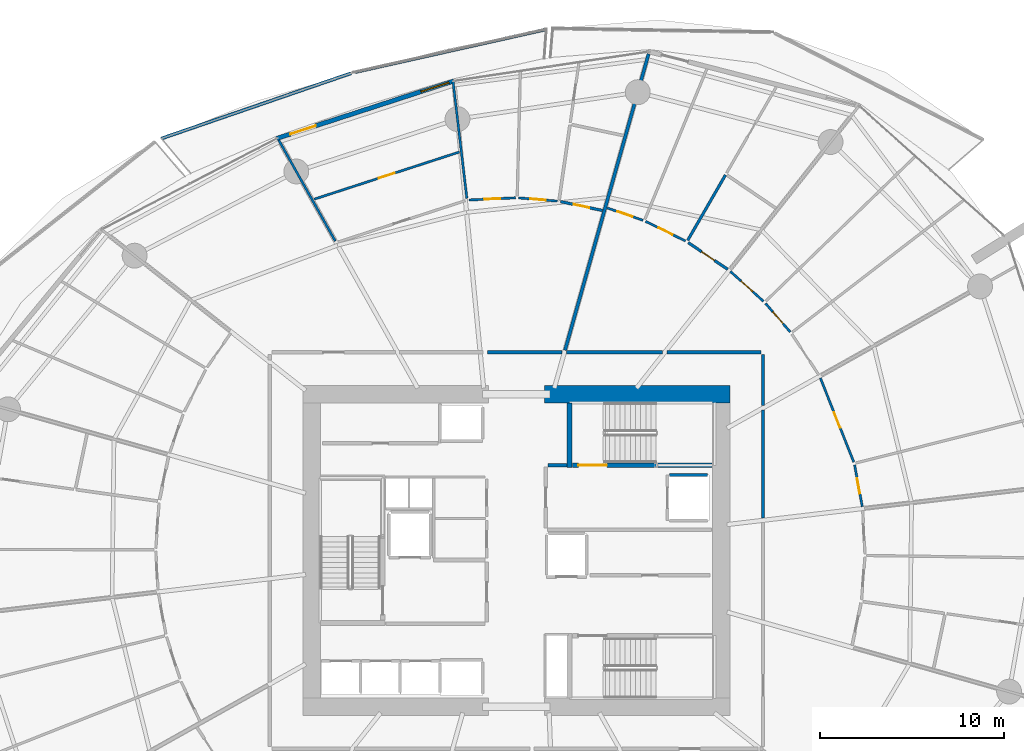
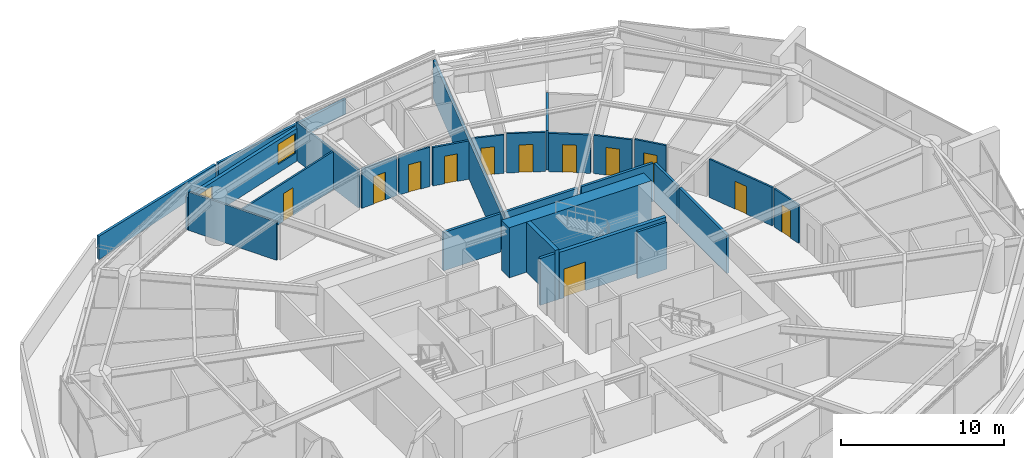
# One storey, part 23 of 31: 28 walls, 13 doors, 1 window, 14 openings.
"""IFC4 building model written with IfcOpenShell, lengths in metres."""

import ifcopenshell
import ifcopenshell.guid

model = None  # the IFC model being written
_history = None  # IfcOwnerHistory: only IFC2X3 demands one
_inside = {}  # id of a spatial element -> (the spatial element, [elements in it])
_under = {}  # id of a project, library or spatial element -> (it, [spatial elements below it])
_declared = {}  # id of a project -> (the project, [libraries it declares])
_typed = {}  # id of a type object -> (the type object, [elements of that type])
_made_of = {}  # id of a material, layer set ... -> (it, [elements and type objects made of it])


def new_model(schema):
    """Start an empty IFC model of exactly this schema.

    Asked for "IFC4X3", IfcOpenShell would pick the latest addendum, in which some entities
    have other attributes; the version numbers below select the first issue.
    IFC2X3 requires an IfcOwnerHistory on every rooted entity: one is made here for all.
    """
    global model, _history
    if schema == "IFC4X3":
        model = ifcopenshell.file(schema_version=(4, 3, 0, 0))
    else:
        model = ifcopenshell.file(schema=schema)
    _inside.clear()
    _under.clear()
    _declared.clear()
    _typed.clear()
    _made_of.clear()
    _history = None
    if model.schema == "IFC2X3":
        org = make("IfcOrganization", Name="unknown")
        user = make(
            "IfcPersonAndOrganization",
            ThePerson=make("IfcPerson", FamilyName="unknown"),
            TheOrganization=org,
        )
        app = make(
            "IfcApplication",
            ApplicationDeveloper=org,
            Version="unknown",
            ApplicationFullName="unknown",
            ApplicationIdentifier="unknown",
        )
        _history = make(
            "IfcOwnerHistory",
            OwningUser=user,
            OwningApplication=app,
            ChangeAction="ADDED",
            CreationDate=0,
        )
    return model


def make(cls, **values):
    """One entity of the class cls with the attributes given. An attribute that is None is left unset."""
    return model.create_entity(
        cls, **{name: value for name, value in values.items() if value is not None}
    )


def rooted(cls, **values):
    """An entity with a GlobalId (a new one), such as an element, a storey or a relation."""
    return make(cls, GlobalId=ifcopenshell.guid.new(), OwnerHistory=_history, **values)


def si_unit(unit_type, name, prefix=None):
    """IfcSIUnit, for example si_unit("LENGTHUNIT", "METRE", prefix="MILLI")."""
    return make("IfcSIUnit", UnitType=unit_type, Prefix=prefix, Name=name)


def assignment(units):
    """IfcUnitAssignment: the units of a project."""
    return None if units is None else make("IfcUnitAssignment", Units=units)


def point(xyz):
    """IfcCartesianPoint."""
    return None if xyz is None else make("IfcCartesianPoint", Coordinates=xyz)


def direction(xyz):
    """IfcDirection."""
    return None if xyz is None else make("IfcDirection", DirectionRatios=xyz)


def frame(location, z_axis=None, x_axis=None):
    """IfcAxis2Placement3D, a coordinate frame: its origin and axes. An axis left out is left unset."""
    return make(
        "IfcAxis2Placement3D",
        Location=point(location),
        Axis=direction(z_axis),
        RefDirection=direction(x_axis),
    )


def frame_2d(location, x_axis=None):
    """IfcAxis2Placement2D, a coordinate frame in the plane: its origin and x axis."""
    return make(
        "IfcAxis2Placement2D", Location=point(location), RefDirection=direction(x_axis)
    )


def origin():
    """The frame at (0, 0, 0) with its axes left unset."""
    return frame((0.0, 0.0, 0.0))


def place(relative_to, where):
    """IfcLocalPlacement: puts the frame where relative to a parent placement (None: the world)."""
    return make(
        "IfcLocalPlacement", PlacementRelTo=relative_to, RelativePlacement=where
    )


def context(
    kind, dimensions, precision=None, world=None, true_north=None, identifier=None
):
    """IfcGeometricRepresentationContext, for example the 3D "Model" context."""
    return make(
        "IfcGeometricRepresentationContext",
        ContextIdentifier=identifier,
        ContextType=kind,
        CoordinateSpaceDimension=dimensions,
        Precision=precision,
        WorldCoordinateSystem=world,
        TrueNorth=true_north,
    )


def subcontext(parent, identifier, kind, view, scale=None):
    """IfcGeometricRepresentationSubContext, for example "Body" below "Model"."""
    return make(
        "IfcGeometricRepresentationSubContext",
        ContextIdentifier=identifier,
        ContextType=kind,
        ParentContext=parent,
        TargetScale=scale,
        TargetView=view,
    )


def project(units=None, contexts=None):
    """IfcProject with its units and contexts."""
    return rooted(
        "IfcProject",
        Name="project",
        RepresentationContexts=contexts,
        UnitsInContext=assignment(units),
    )


def spatial(cls, under=None, at=None, **own):
    """A site, building, storey or space (cls), placed at a placement, below another one or the project."""
    s = rooted(cls, ObjectPlacement=at, **own)
    if under is not None:
        _under.setdefault(under.id(), (under, []))[1].append(s)
    return s


def polyline(points):
    """IfcPolyline through the points."""
    return make("IfcPolyline", Points=[point(p) for p in points])


def profile(cls, at=None, kind="AREA", **sizes):
    """A parametric profile (cls). Its sizes go by their IFC names, for example OverallWidth=200.0."""
    return make(cls, ProfileType=kind, Position=at, **sizes)


def rectangle(**sizes):
    """IfcRectangleProfileDef."""
    return profile("IfcRectangleProfileDef", **sizes)


def outline(outer, holes=None, kind="AREA"):
    """IfcArbitraryClosedProfileDef: a profile drawn as a closed curve; with holes, ...WithVoids."""
    if holes is None:
        return make("IfcArbitraryClosedProfileDef", ProfileType=kind, OuterCurve=outer)
    return make(
        "IfcArbitraryProfileDefWithVoids",
        ProfileType=kind,
        OuterCurve=outer,
        InnerCurves=holes,
    )


def extrude(swept, where, along, depth):
    """IfcExtrudedAreaSolid: the profile swept, set in the frame where, extruded along a direction by depth."""
    return make(
        "IfcExtrudedAreaSolid",
        SweptArea=swept,
        Position=where,
        ExtrudedDirection=direction(along),
        Depth=depth,
    )


def shape(context_of_items, identifier, shape_type, items):
    """IfcShapeRepresentation: the items that make up one representation, for example the "Body"."""
    return make(
        "IfcShapeRepresentation",
        ContextOfItems=context_of_items,
        RepresentationIdentifier=identifier,
        RepresentationType=shape_type,
        Items=items,
    )


def material(Name=None, Category=None):
    """IfcMaterial."""
    return make("IfcMaterial", Name=Name, Category=Category)


def layer(
    of_material, thickness, ventilated=None, Name=None, Category=None, Priority=None
):
    """IfcMaterialLayer: one layer of a wall or slab, of a material (None: an air gap)."""
    return make(
        "IfcMaterialLayer",
        Material=of_material,
        LayerThickness=thickness,
        IsVentilated=ventilated,
        Name=Name,
        Category=Category,
        Priority=Priority,
    )


def layer_set(layers, Name=None):
    """IfcMaterialLayerSet."""
    return make("IfcMaterialLayerSet", MaterialLayers=layers, LayerSetName=Name)


def made_of(thing, what):
    """Note that an element or type object is made of a material, layer set ...; save() writes the relation."""
    if what is not None:
        _made_of.setdefault(what.id(), (what, []))[1].append(thing)
    return thing


def type_object(cls, material=None, **own):
    """A type object (cls), such as IfcWallType, which elements share."""
    return made_of(rooted(cls, **own), material)


def element(
    cls,
    number,
    at=None,
    inside=None,
    cuts=None,
    type_object=None,
    material=None,
    context=None,
    identifier="Body",
    shape_type=None,
    held_by="IfcProductDefinitionShape",
    body=None,
    shapes=None,
    **own,
):
    """One element of the class cls, such as IfcWall. Its Tag is "e" and its number.

    at: its placement. inside: the storey or other place that contains it. cuts: it is an
    opening in that element (IfcRelVoidsElement). A single representation is given by context,
    identifier, shape_type and body (its items); several are given by shapes. held_by: the class
    of the entity that holds the representations. save() writes the other relations.
    """
    e = rooted(cls, Tag="e%d" % number, ObjectPlacement=at, **own)
    if body is not None:
        shapes = [shape(context, identifier, shape_type, body)]
    if shapes is not None:
        e.Representation = make(held_by, Representations=shapes)
    if inside is not None:
        _inside.setdefault(inside.id(), (inside, []))[1].append(e)
    if cuts is not None:
        rooted(
            "IfcRelVoidsElement", RelatingBuildingElement=cuts, RelatedOpeningElement=e
        )
    if type_object is not None:
        _typed.setdefault(type_object.id(), (type_object, []))[1].append(e)
    return made_of(e, material)


def fill(opening, filler):
    """IfcRelFillsElement: the door or window that sits in an opening."""
    return rooted(
        "IfcRelFillsElement",
        RelatingOpeningElement=opening,
        RelatedBuildingElement=filler,
    )


def aggregate(whole, parts):
    """IfcRelAggregates: a whole, such as a stair, and the parts it consists of."""
    return rooted("IfcRelAggregates", RelatingObject=whole, RelatedObjects=parts)


def save(model, path):
    """Write the relations noted so far, then the file.

    IfcRelAggregates (storeys below a building ...), IfcRelContainedInSpatialStructure (elements
    in a storey), IfcRelDefinesByType, IfcRelAssociatesMaterial and IfcRelDeclares: one each for
    every whole, place, type object, material and project.
    """
    for whole, parts in _under.values():
        aggregate(whole, parts)
    for where, things in _inside.values():
        rooted(
            "IfcRelContainedInSpatialStructure",
            RelatedElements=things,
            RelatingStructure=where,
        )
    for kind, things in _typed.values():
        rooted("IfcRelDefinesByType", RelatedObjects=things, RelatingType=kind)
    for what, things in _made_of.values():
        rooted("IfcRelAssociatesMaterial", RelatedObjects=things, RelatingMaterial=what)
    for by, libraries in _declared.values():
        rooted("IfcRelDeclares", RelatingContext=by, RelatedDefinitions=libraries)
    model.write(path)


model = new_model("IFC4")

# Units and contexts
model_context = context("Model", 3, precision=1e-05, world=origin(), true_north=direction((0.0, 1.0)))
body_context = subcontext(model_context, "Body", "Model", "MODEL_VIEW")
ifc_project = project(units=[si_unit("LENGTHUNIT", "METRE"), si_unit("AREAUNIT", "SQUARE_METRE"), si_unit("VOLUMEUNIT", "CUBIC_METRE"), si_unit("PLANEANGLEUNIT", "RADIAN"), si_unit("MASSUNIT", "GRAM", prefix="KILO")], contexts=[model_context])

# Site, building, storey
site_placement = place(None, origin())
site = spatial("IfcSite", under=ifc_project, at=site_placement, CompositionType="ELEMENT")
building_placement = place(site_placement, origin())
building = spatial("IfcBuilding", under=site, at=building_placement, Name="Kazma Halo Residences", CompositionType="ELEMENT")
storey_placement = place(building_placement, frame((0.0, 0.0, 48.89990234375)))
storey = spatial("IfcBuildingStorey", under=building, at=storey_placement, Name="L11", CompositionType="ELEMENT", Elevation=48.89990234375)

# Walls
ifc_material_1 = material(Name="White Concrete C50/60 Balustrade", Category="concrete")
ifc_layer_1 = layer(ifc_material_1, 0.179931640625)
ifc_layer_set_1 = layer_set([ifc_layer_1], Name="White Concrete C50/60 Balustrade")
wall_type_1 = type_object("IfcWallType", Name="WL-BAL-WAVE-180", PredefinedType="PARAPET", material=ifc_layer_set_1)
wall_1_placement = place(storey_placement, frame((50.050537109375, 70.261474609375, 0.0), z_axis=(0.0, 0.0, 1.0), x_axis=(-0.975844238529, -0.218467439518, 0.0)))
element("IfcWall", 1, at=wall_1_placement, inside=storey, type_object=wall_type_1, Name="L11 white wave balustrade wall NNW.1", PredefinedType="PARAPET", context=body_context, shape_type="SweptSolid", body=[
    extrude(outline(polyline([(0.0, 0.0), (10.61083984375, 0.0), (10.61083984375, 1.34814453125), (5.305419921875, 1.18212890625), (0.0, 1.1201171875), (0.0, 0.0)])), frame((0.0, 0.08984375, 0.0), z_axis=(0.0, -1.0, 0.0), x_axis=(1.0, 0.0, 0.0)), (0.0, 0.0, 1.0), 0.179931640625),
])
wall_2_placement = place(storey_placement, frame((39.465576171875, 67.878173828125, 0.0), z_axis=(0.0, 0.0, 1.0), x_axis=(-0.945564712315, -0.325434132851, 0.0)))
element("IfcWall", 2, at=wall_2_placement, inside=storey, type_object=wall_type_1, Name="L11 white wave balustrade wall NNW.2", PredefinedType="PARAPET", context=body_context, shape_type="SweptSolid", body=[
    extrude(outline(polyline([(0.0, 0.0), (10.8974609375, 0.0), (10.897216796875, 1.7470703125), (5.448486328125, 1.56201171875), (0.0, 1.34814453125), (0.0, 0.0)])), frame((0.0, 0.08984375, 0.0), z_axis=(0.0, -1.0, 0.0), x_axis=(1.0, 0.0, 0.0)), (0.0, 0.0, 1.0), 0.179931640625),
])
ifc_material_2 = material(Name="Concrete C80/95", Category="concrete")
ifc_layer_2 = layer(ifc_material_2, 0.949951171875)
ifc_layer_set_2 = layer_set([ifc_layer_2], Name="Concrete C80/95")
wall_type_2 = type_object("IfcWallType", Name="WL-CORE-950", PredefinedType="SHEAR", material=ifc_layer_set_2)
wall_3_placement = place(storey_placement, frame((49.949951171875, 50.47509765625, 0.0), z_axis=(0.0, 0.0, 1.0), x_axis=(1.0, 0.0, 0.0)))
element("IfcWall", 3, at=wall_3_placement, inside=storey, type_object=wall_type_2, Name="L11 central core shear wall NE", PredefinedType="SHEAR", context=body_context, shape_type="SweptSolid", body=[
    extrude(rectangle(XDim=10.050048828125, YDim=0.949951171875, at=frame_2d((5.02490234375, 0.0))), origin(), (0.0, 0.0, 1.0), 3.75),
])
ifc_material_3 = material(Name="Concrete C60/75", Category="concrete")
ifc_layer_3 = layer(ifc_material_3, 0.280029296875)
ifc_layer_set_3 = layer_set([ifc_layer_3], Name="Concrete C60/75")
wall_type_3 = type_object("IfcWallType", Name="WL-CORE-ST-280", PredefinedType="SHEAR", material=ifc_layer_set_3)
wall_4_placement = place(storey_placement, frame((51.31005859375, 46.5, 0.0), z_axis=(0.0, 0.0, 1.0), x_axis=(0.0, 1.0, 0.0)))
element("IfcWall", 4, at=wall_4_placement, inside=storey, type_object=wall_type_3, Name="L11 stairwell bearing wall ST02-W", PredefinedType="SHEAR", context=body_context, shape_type="SweptSolid", body=[
    extrude(rectangle(XDim=3.5, YDim=0.280029296875, at=frame_2d((1.75, 0.0))), origin(), (0.0, 0.0, 1.0), 3.75),
])
ifc_material_4 = material(Name="Acoustic Twin-Stud Gypsum")
ifc_layer_4 = layer(ifc_material_4, 0.179931640625)
ifc_layer_set_4 = layer_set([ifc_layer_4], Name="Acoustic Twin-Stud Gypsum")
wall_type_4 = type_object("IfcWallType", Name="WL-DEM-180", PredefinedType="PARTITIONING", material=ifc_layer_set_4)
wall_5_placement = place(storey_placement, frame((51.061767578125, 52.85595703125, 0.0), z_axis=(0.0, 0.0, 1.0), x_axis=(0.27143758514, 0.962456044385, 0.0)))
element("IfcWall", 5, at=wall_5_placement, inside=storey, type_object=wall_type_4, Name="L11 apartment demising radial wall 02", PredefinedType="PARTITIONING", context=body_context, shape_type="SweptSolid", body=[
    extrude(rectangle(XDim=16.692626953125, YDim=0.179931640625, at=frame_2d((8.34619140625, 0.0))), origin(), (0.0, 0.0, 1.0), 2.8671875),
])
wall_6_placement = place(storey_placement, frame((50.911865234375, 52.75, 0.0), z_axis=(0.0, 0.0, 1.0), x_axis=(-1.0, 0.0, 0.0)))
element("IfcWall", 6, at=wall_6_placement, inside=storey, type_object=wall_type_4, Name="L11 Apartment 1 inner wall 2", PredefinedType="PARTITIONING", context=body_context, shape_type="SweptSolid", body=[
    extrude(rectangle(XDim=4.064208984375, YDim=0.179931640625, at=frame_2d((2.0322265625, 0.0))), origin(), (0.0, 0.0, 1.0), 2.8671875),
])
wall_7_placement = place(storey_placement, frame((61.800048828125, 43.75341796875, 0.0), z_axis=(0.0, 0.0, 1.0), x_axis=(0.0, 1.0, 0.0)))
element("IfcWall", 7, at=wall_7_placement, inside=storey, type_object=wall_type_4, Name="L11 Apartment 3 inner wall 15", PredefinedType="PARTITIONING", context=body_context, shape_type="SweptSolid", body=[
    extrude(rectangle(XDim=5.85498046875, YDim=0.179931640625, at=frame_2d((2.927490234375, 0.0))), origin(), (0.0, 0.0, 1.0), 2.8671875),
])
wall_8_placement = place(storey_placement, frame((61.800048828125, 49.848388671875, 0.0), z_axis=(0.0, 0.0, 1.0), x_axis=(0.0, 1.0, 0.0)))
element("IfcWall", 8, at=wall_8_placement, inside=storey, type_object=wall_type_4, Name="L11 Apartment 3 inner wall 0", PredefinedType="PARTITIONING", context=body_context, shape_type="SweptSolid", body=[
    extrude(rectangle(XDim=2.781494140625, YDim=0.179931640625, at=frame_2d((1.390625, 0.0))), origin(), (0.0, 0.0, 1.0), 2.8671875),
])
wall_9_placement = place(storey_placement, frame((61.679931640625, 52.75, 0.0), z_axis=(0.0, 0.0, 1.0), x_axis=(-1.0, 0.0, 0.0)))
element("IfcWall", 9, at=wall_9_placement, inside=storey, type_object=wall_type_4, Name="L11 Apartment 3 inner wall 0", PredefinedType="PARTITIONING", context=body_context, shape_type="SweptSolid", body=[
    extrude(rectangle(XDim=5.08544921875, YDim=0.179931640625, at=frame_2d((2.542724609375, 0.0))), origin(), (0.0, 0.0, 1.0), 2.8671875),
])
wall_10_placement = place(storey_placement, frame((56.3544921875, 52.75, 0.0), z_axis=(0.0, 0.0, 1.0), x_axis=(-1.0, 0.0, 0.0)))
element("IfcWall", 10, at=wall_10_placement, inside=storey, type_object=wall_type_4, Name="L11 Apartment 3 inner wall 1", PredefinedType="PARTITIONING", context=body_context, shape_type="SweptSolid", body=[
    extrude(rectangle(XDim=5.20263671875, YDim=0.179931640625, at=frame_2d((2.601318359375, 0.0))), origin(), (0.0, 0.0, 1.0), 2.8671875),
])

# Wall, openings, door, window
ifc_material_5 = material(Name="Insulated Pale-Metal Composite Wall")
ifc_layer_5 = layer(ifc_material_5, 0.239990234375)
ifc_layer_set_5 = layer_set([ifc_layer_5], Name="Insulated Pale-Metal Composite Wall")
wall_type_5 = type_object("IfcWallType", Name="WL-EXT-HOST-240", PredefinedType="SOLIDWALL", material=ifc_layer_set_5)
wall_11_placement = place(storey_placement, frame((45.0361328125, 67.45849609375, 0.0), z_axis=(0.0, 0.0, 1.0), x_axis=(-0.951054679225, -0.309022648238, 0.0)))
wall_11 = element("IfcWall", 11, at=wall_11_placement, inside=storey, type_object=wall_type_5, Name="L11 exterior terrace-access wall B04", PredefinedType="SOLIDWALL", context=body_context, shape_type="SweptSolid", body=[
    extrude(rectangle(XDim=10.0966796875, YDim=0.239990234375, at=frame_2d((5.04833984375, 0.0))), origin(), (0.0, 0.0, 1.0), 2.4501953125),
])
opening_1_placement = place(wall_11_placement, frame((7.876708984375, 0.0, 0.0)))
opening_1 = element("IfcOpeningElement", 12, at=opening_1_placement, cuts=wall_11, Name="Opening DTR-1600", PredefinedType="OPENING", context=body_context, shape_type="SweptSolid", body=[
    extrude(rectangle(XDim=1.449951171875, YDim=2.14990234375, at=frame_2d((0.72509765625, 1.074951171875))), frame((0.0, 0.1298828125, 0.0), z_axis=(0.0, -1.0, 0.0), x_axis=(1.0, 0.0, 0.0)), (0.0, 0.0, 1.0), 0.260009765625),
])
opening_2_placement = place(wall_11_placement, frame((0.280029296875, 0.0, 0.64990234375)))
opening_2 = element("IfcOpeningElement", 13, at=opening_2_placement, cuts=wall_11, Name="Opening W-1800", PredefinedType="OPENING", context=body_context, shape_type="SweptSolid", body=[
    extrude(rectangle(XDim=1.60009765625, YDim=1.5, at=frame_2d((0.800048828125, 0.75))), frame((0.0, 0.1298828125, 0.0), z_axis=(0.0, -1.0, 0.0), x_axis=(1.0, 0.0, 0.0)), (0.0, 0.0, 1.0), 0.260009765625),
])
ifc_material_6 = material(Name="Aluminium AW-6063 T6 Double-Glazed Terrace Door", Category="aluminium")
door_type_1 = type_object("IfcDoorType", Name="DR-EXT-TERR-1600", OperationType="NOTDEFINED", PredefinedType="DOOR", material=ifc_material_6)
door_1_placement = place(opening_1_placement, origin())
door_1 = element("IfcDoor", 14, at=door_1_placement, inside=storey, type_object=door_type_1, Name="L11 B04 balcony terrace door", OperationType="DOUBLE_DOOR_SLIDING", OverallHeight=2.14990234375, OverallWidth=1.449951171875, PredefinedType="DOOR", context=body_context, shape_type="SweptSolid", body=[
    extrude(rectangle(XDim=1.449951171875, YDim=2.14990234375, at=frame_2d((0.72509765625, 1.074951171875))), frame((0.0, 0.02490234375, 0.0), z_axis=(0.0, -1.0, 0.0), x_axis=(1.0, 0.0, 0.0)), (0.0, 0.0, 1.0), 0.050048828125),
])
fill(opening_1, door_1)
ifc_material_7 = material(Name="Clear Triple-Silver Low-E Glass in Aluminium AW-6063 T6 Frame", Category="aluminium")
window_type = type_object("IfcWindowType", Name="WIN-RES-1800", PartitioningType="DOUBLE_PANEL_VERTICAL", PredefinedType="WINDOW", material=ifc_material_7)
window_placement = place(opening_2_placement, origin())
window = element("IfcWindow", 15, at=window_placement, inside=storey, type_object=window_type, Name="L11 B04 apartment window", OverallHeight=1.5, OverallWidth=1.60009765625, PartitioningType="SINGLE_PANEL", PredefinedType="WINDOW", context=body_context, shape_type="SweptSolid", body=[
    extrude(rectangle(XDim=1.60009765625, YDim=1.5, at=frame_2d((0.800048828125, 0.75))), frame((0.0, 0.030029296875, 0.0), z_axis=(0.0, -1.0, 0.0), x_axis=(1.0, 0.0, 0.0)), (0.0, 0.0, 1.0), 0.06005859375),
])
fill(opening_2, window)

# Walls
ifc_material_8 = material(Name="Fire-Rated Blockwork Masonry", Category="masonry")
ifc_layer_6 = layer(ifc_material_8, 0.199951171875)
ifc_layer_set_6 = layer_set([ifc_layer_6], Name="Fire-Rated Blockwork Masonry")
wall_type_6 = type_object("IfcWallType", Name="WL-FLB-200", PredefinedType="PARTITIONING", material=ifc_layer_set_6)
wall_12_placement = place(storey_placement, frame((56.719970703125, 46.080078125, 0.0), z_axis=(0.0, 0.0, 1.0), x_axis=(1.0, 0.0, 0.0)))
element("IfcWall", 16, at=wall_12_placement, inside=storey, type_object=wall_type_6, Name="L11 lift shaft FL-02 side wall N", PredefinedType="PARTITIONING", context=body_context, shape_type="SweptSolid", body=[
    extrude(rectangle(XDim=2.06005859375, YDim=0.159912109375, at=frame_2d((1.030029296875, 0.0))), origin(), (0.0, 0.0, 1.0), 3.5),
])
wall_13_placement = place(storey_placement, frame((50.139892578125, 46.6201171875, 0.0), z_axis=(0.0, 0.0, 1.0), x_axis=(1.0, 0.0, 0.0)))
element("IfcWall", 17, at=wall_13_placement, inside=storey, type_object=wall_type_6, Name="L11 east firefighting lobby north closure wall", PredefinedType="PARTITIONING", context=body_context, shape_type="SweptSolid", body=[
    extrude(rectangle(XDim=1.02001953125, YDim=0.199951171875, at=frame_2d((0.510009765625, 0.0))), origin(), (0.0, 0.0, 1.0), 3.5),
])

# Wall, opening, door
ifc_material_9 = material(Name="Gypsum Plasterboard Partition")
ifc_layer_7 = layer(ifc_material_9, 0.125)
ifc_layer_set_7 = layer_set([ifc_layer_7], Name="Gypsum Plasterboard Partition")
wall_type_7 = type_object("IfcWallType", Name="WL-PART-125", PredefinedType="PARTITIONING", material=ifc_layer_set_7)
wall_14_placement = place(storey_placement, frame((50.642822265625, 60.94140625, 0.0), z_axis=(0.0, 0.0, 1.0), x_axis=(-0.996476516502, 0.083872236525, 0.0)))
wall_14 = element("IfcWall", 18, at=wall_14_placement, inside=storey, type_object=wall_type_7, Name="L11 Apartment 1 Gourmet Kitchen hall wall", PredefinedType="PARTITIONING", context=body_context, shape_type="SweptSolid", body=[
    extrude(rectangle(XDim=2.1015625, YDim=0.125, at=frame_2d((1.05078125, 0.0))), origin(), (0.0, 0.0, 1.0), 2.940185546875),
])
opening_3_placement = place(wall_14_placement, frame((0.6259765625, 0.0, 0.0)))
opening_3 = element("IfcOpeningElement", 19, at=opening_3_placement, cuts=wall_14, Name="Opening DB-900", PredefinedType="OPENING", context=body_context, shape_type="SweptSolid", body=[
    extrude(rectangle(XDim=0.85009765625, YDim=2.06005859375, at=frame_2d((0.425048828125, 1.030029296875))), frame((0.0, 0.072509765625, 0.0), z_axis=(0.0, -1.0, 0.0), x_axis=(1.0, 0.0, 0.0)), (0.0, 0.0, 1.0), 0.14501953125),
])
ifc_material_10 = material(Name="Moisture-Sealed Timber Leaf", Category="wood")
door_type_2 = type_object("IfcDoorType", Name="DR-BTH-900", OperationType="NOTDEFINED", PredefinedType="DOOR", material=ifc_material_10)
door_2_placement = place(opening_3_placement, origin())
door_2 = element("IfcDoor", 20, at=door_2_placement, inside=storey, type_object=door_type_2, Name="L11 Apartment 1 Gourmet Kitchen door", OperationType="SINGLE_SWING_RIGHT", OverallHeight=2.06005859375, OverallWidth=0.85009765625, PredefinedType="DOOR", context=body_context, shape_type="SweptSolid", body=[
    extrude(rectangle(XDim=0.85009765625, YDim=2.06005859375, at=frame_2d((0.425048828125, 1.030029296875))), frame((0.0, 0.02490234375, 0.0), z_axis=(0.0, -1.0, 0.0), x_axis=(1.0, 0.0, 0.0)), (0.0, 0.0, 1.0), 0.050048828125),
])
fill(opening_3, door_2)

wall_15_placement = place(storey_placement, frame((48.388916015625, 61.12060546875, 0.0), z_axis=(0.0, 0.0, 1.0), x_axis=(-0.998913125069, -0.046610820248, 0.0)))
wall_15 = element("IfcWall", 21, at=wall_15_placement, inside=storey, type_object=wall_type_7, Name="L11 Apartment 1 Primary Bedroom hall wall", PredefinedType="PARTITIONING", context=body_context, shape_type="SweptSolid", body=[
    extrude(rectangle(XDim=2.540283203125, YDim=0.125, at=frame_2d((1.27001953125, 0.0))), origin(), (0.0, 0.0, 1.0), 2.940185546875),
])
opening_4_placement = place(wall_15_placement, frame((0.84521484375, 0.0, 0.0)))
opening_4 = element("IfcOpeningElement", 22, at=opening_4_placement, cuts=wall_15, Name="Opening DB-900", PredefinedType="OPENING", context=body_context, shape_type="SweptSolid", body=[
    extrude(rectangle(XDim=0.85009765625, YDim=2.06005859375, at=frame_2d((0.425048828125, 1.030029296875))), frame((0.0, 0.072509765625, 0.0), z_axis=(0.0, -1.0, 0.0), x_axis=(1.0, 0.0, 0.0)), (0.0, 0.0, 1.0), 0.14501953125),
])
door_3_placement = place(opening_4_placement, origin())
door_3 = element("IfcDoor", 23, at=door_3_placement, inside=storey, type_object=door_type_2, Name="L11 Apartment 1 Primary Bedroom door", OperationType="SINGLE_SWING_LEFT", OverallHeight=2.06005859375, OverallWidth=0.85009765625, PredefinedType="DOOR", context=body_context, shape_type="SweptSolid", body=[
    extrude(rectangle(XDim=0.85009765625, YDim=2.06005859375, at=frame_2d((0.425048828125, 1.030029296875))), frame((0.0, 0.02490234375, 0.0), z_axis=(0.0, -1.0, 0.0), x_axis=(1.0, 0.0, 0.0)), (0.0, 0.0, 1.0), 0.050048828125),
])
fill(opening_4, door_3)

# Walls
wall_16_placement = place(storey_placement, frame((45.73974609375, 61.0966796875, 0.0), z_axis=(0.0, 0.0, 1.0), x_axis=(-0.117513247181, 0.993071315031, 0.0)))
element("IfcWall", 24, at=wall_16_placement, inside=storey, type_object=wall_type_7, Name="L11 Apartment 1 radial partition 3", PredefinedType="PARTITIONING", context=body_context, shape_type="SweptSolid", body=[
    extrude(rectangle(XDim=6.36572265625, YDim=0.125, at=frame_2d((3.182861328125, 0.0))), origin(), (0.0, 0.0, 1.0), 2.8671875),
])
wall_17_placement = place(storey_placement, frame((38.603759765625, 58.778076171875, 0.0), z_axis=(0.0, 0.0, 1.0), x_axis=(-0.488617606889, 0.872498042541, 0.0)))
element("IfcWall", 25, at=wall_17_placement, inside=storey, type_object=wall_type_7, Name="L11 Apartment 1 living radial partition 3", PredefinedType="PARTITIONING", context=body_context, shape_type="SweptSolid", body=[
    extrude(rectangle(XDim=6.265625, YDim=0.125, at=frame_2d((3.1328125, 0.0))), origin(), (0.0, 0.0, 1.0), 2.8671875),
])

# Wall, opening, door
wall_18_placement = place(storey_placement, frame((45.334228515625, 63.60498046875, 0.0), z_axis=(0.0, 0.0, 1.0), x_axis=(-0.951055512715, -0.309020083061, 0.0)))
wall_18 = element("IfcWall", 26, at=wall_18_placement, inside=storey, type_object=wall_type_7, Name="L11 Apartment 1 West Bedroom divider wall", PredefinedType="PARTITIONING", context=body_context, shape_type="SweptSolid", body=[
    extrude(rectangle(XDim=8.281982421875, YDim=0.125, at=frame_2d((4.14111328125, 0.0))), origin(), (0.0, 0.0, 1.0), 2.8671875),
])
opening_5_placement = place(wall_18_placement, frame((3.691162109375, 0.0, 0.0)))
opening_5 = element("IfcOpeningElement", 27, at=opening_5_placement, cuts=wall_18, Name="Opening DI-950", PredefinedType="OPENING", context=body_context, shape_type="SweptSolid", body=[
    extrude(rectangle(XDim=0.89990234375, YDim=2.080078125, at=frame_2d((0.449951171875, 1.0400390625))), frame((0.0, 0.072509765625, 0.0), z_axis=(0.0, -1.0, 0.0), x_axis=(1.0, 0.0, 0.0)), (0.0, 0.0, 1.0), 0.14501953125),
])
ifc_material_11 = material(Name="Timber Veneer Flush Leaf", Category="wood")
door_type_3 = type_object("IfcDoorType", Name="DR-INT-950", OperationType="NOTDEFINED", PredefinedType="DOOR", material=ifc_material_11)
door_4_placement = place(opening_5_placement, origin())
door_4 = element("IfcDoor", 28, at=door_4_placement, inside=storey, type_object=door_type_3, Name="L11 Apartment 1 West Bedroom door", OperationType="SINGLE_SWING_RIGHT", OverallHeight=2.080078125, OverallWidth=0.89990234375, PredefinedType="DOOR", context=body_context, shape_type="SweptSolid", body=[
    extrude(rectangle(XDim=0.89990234375, YDim=2.080078125, at=frame_2d((0.449951171875, 1.0400390625))), frame((0.0, 0.02490234375, 0.0), z_axis=(0.0, -1.0, 0.0), x_axis=(1.0, 0.0, 0.0)), (0.0, 0.0, 1.0), 0.050048828125),
])
fill(opening_5, door_4)

wall_19_placement = place(storey_placement, frame((67.180908203125, 44.37060546875, 0.0), z_axis=(0.0, 0.0, 1.0), x_axis=(-0.181165121265, 0.98345269273, 0.0)))
wall_19 = element("IfcWall", 29, at=wall_19_placement, inside=storey, type_object=wall_type_7, Name="L11 Apartment 3 Primary Wine Pantry Store hall wall", PredefinedType="PARTITIONING", context=body_context, shape_type="SweptSolid", body=[
    extrude(rectangle(XDim=2.308349609375, YDim=0.125, at=frame_2d((1.154296875, 0.0))), origin(), (0.0, 0.0, 1.0), 2.8671875),
])
opening_6_placement = place(wall_19_placement, frame((0.729248046875, 0.0, 0.0)))
opening_6 = element("IfcOpeningElement", 30, at=opening_6_placement, cuts=wall_19, Name="Opening DB-900", PredefinedType="OPENING", context=body_context, shape_type="SweptSolid", body=[
    extrude(rectangle(XDim=0.85009765625, YDim=2.06005859375, at=frame_2d((0.425048828125, 1.030029296875))), frame((0.0, 0.072509765625, 0.0), z_axis=(0.0, -1.0, 0.0), x_axis=(1.0, 0.0, 0.0)), (0.0, 0.0, 1.0), 0.14501953125),
])
door_5_placement = place(opening_6_placement, origin())
door_5 = element("IfcDoor", 31, at=door_5_placement, inside=storey, type_object=door_type_2, Name="L11 Apartment 3 Primary Wine Pantry Store door", OperationType="SINGLE_SWING_LEFT", OverallHeight=2.06005859375, OverallWidth=0.85009765625, PredefinedType="DOOR", context=body_context, shape_type="SweptSolid", body=[
    extrude(rectangle(XDim=0.85009765625, YDim=2.06005859375, at=frame_2d((0.425048828125, 1.030029296875))), frame((0.0, 0.02490234375, 0.0), z_axis=(0.0, -1.0, 0.0), x_axis=(1.0, 0.0, 0.0)), (0.0, 0.0, 1.0), 0.050048828125),
])
fill(opening_6, door_5)

wall_20_placement = place(storey_placement, frame((66.718505859375, 46.7939453125, 0.0), z_axis=(0.0, 0.0, 1.0), x_axis=(-0.369571376039, 0.929202345032, 0.0)))
wall_20 = element("IfcWall", 32, at=wall_20_placement, inside=storey, type_object=wall_type_7, Name="L11 Apartment 3 Secondary Formal Dining Room hall wall", PredefinedType="PARTITIONING", context=body_context, shape_type="SweptSolid", body=[
    extrude(rectangle(XDim=4.906982421875, YDim=0.125, at=frame_2d((2.45361328125, 0.0))), origin(), (0.0, 0.0, 1.0), 2.8671875),
])
opening_7_placement = place(wall_20_placement, frame((2.003662109375, 0.0, 0.0)))
opening_7 = element("IfcOpeningElement", 33, at=opening_7_placement, cuts=wall_20, Name="Opening DI-950", PredefinedType="OPENING", context=body_context, shape_type="SweptSolid", body=[
    extrude(rectangle(XDim=0.89990234375, YDim=2.080078125, at=frame_2d((0.449951171875, 1.0400390625))), frame((0.0, 0.072509765625, 0.0), z_axis=(0.0, -1.0, 0.0), x_axis=(1.0, 0.0, 0.0)), (0.0, 0.0, 1.0), 0.14501953125),
])
door_6_placement = place(opening_7_placement, origin())
door_6 = element("IfcDoor", 34, at=door_6_placement, inside=storey, type_object=door_type_3, Name="L11 Apartment 3 Secondary Formal Dining Room door", OperationType="SINGLE_SWING_RIGHT", OverallHeight=2.080078125, OverallWidth=0.89990234375, PredefinedType="DOOR", context=body_context, shape_type="SweptSolid", body=[
    extrude(rectangle(XDim=0.89990234375, YDim=2.080078125, at=frame_2d((0.449951171875, 1.0400390625))), frame((0.0, 0.02490234375, 0.0), z_axis=(0.0, -1.0, 0.0), x_axis=(1.0, 0.0, 0.0)), (0.0, 0.0, 1.0), 0.050048828125),
])
fill(opening_7, door_6)

wall_21_placement = place(storey_placement, frame((63.270263671875, 53.849853515625, 0.0), z_axis=(0.0, 0.0, 1.0), x_axis=(-0.653978023322, 0.756513545822, 0.0)))
wall_21 = element("IfcWall", 35, at=wall_21_placement, inside=storey, type_object=wall_type_7, Name="L11 Apartment 3 South Study hall wall", PredefinedType="PARTITIONING", context=body_context, shape_type="SweptSolid", body=[
    extrude(rectangle(XDim=2.04052734375, YDim=0.125, at=frame_2d((1.020263671875, 0.0))), origin(), (0.0, 0.0, 1.0), 2.940185546875),
])
opening_8_placement = place(wall_21_placement, frame((0.59521484375, 0.0, 0.0)))
opening_8 = element("IfcOpeningElement", 36, at=opening_8_placement, cuts=wall_21, Name="Opening DB-900", PredefinedType="OPENING", context=body_context, shape_type="SweptSolid", body=[
    extrude(rectangle(XDim=0.85009765625, YDim=2.06005859375, at=frame_2d((0.425048828125, 1.030029296875))), frame((0.0, 0.072509765625, 0.0), z_axis=(0.0, -1.0, 0.0), x_axis=(1.0, 0.0, 0.0)), (0.0, 0.0, 1.0), 0.14501953125),
])
door_7_placement = place(opening_8_placement, origin())
door_7 = element("IfcDoor", 37, at=door_7_placement, inside=storey, type_object=door_type_2, Name="L11 Apartment 3 South Study door", OperationType="SINGLE_SWING_RIGHT", OverallHeight=2.06005859375, OverallWidth=0.85009765625, PredefinedType="DOOR", context=body_context, shape_type="SweptSolid", body=[
    extrude(rectangle(XDim=0.85009765625, YDim=2.06005859375, at=frame_2d((0.425048828125, 1.030029296875))), frame((0.0, 0.02490234375, 0.0), z_axis=(0.0, -1.0, 0.0), x_axis=(1.0, 0.0, 0.0)), (0.0, 0.0, 1.0), 0.050048828125),
])
fill(opening_8, door_7)

wall_22_placement = place(storey_placement, frame((61.82421875, 55.5078125, 0.0), z_axis=(0.0, 0.0, 1.0), x_axis=(-0.742309867555, 0.670056759185, 0.0)))
wall_22 = element("IfcWall", 38, at=wall_22_placement, inside=storey, type_object=wall_type_7, Name="L11 Apartment 3 Inner Master Bedroom hall wall", PredefinedType="PARTITIONING", context=body_context, shape_type="SweptSolid", body=[
    extrude(rectangle(XDim=2.41943359375, YDim=0.125, at=frame_2d((1.209716796875, 0.0))), origin(), (0.0, 0.0, 1.0), 2.8671875),
])
opening_9_placement = place(wall_22_placement, frame((0.78466796875, 0.0, 0.0)))
opening_9 = element("IfcOpeningElement", 39, at=opening_9_placement, cuts=wall_22, Name="Opening DB-900", PredefinedType="OPENING", context=body_context, shape_type="SweptSolid", body=[
    extrude(rectangle(XDim=0.85009765625, YDim=2.06005859375, at=frame_2d((0.425048828125, 1.030029296875))), frame((0.0, 0.072509765625, 0.0), z_axis=(0.0, -1.0, 0.0), x_axis=(1.0, 0.0, 0.0)), (0.0, 0.0, 1.0), 0.14501953125),
])
door_8_placement = place(opening_9_placement, origin())
door_8 = element("IfcDoor", 40, at=door_8_placement, inside=storey, type_object=door_type_2, Name="L11 Apartment 3 Inner Master Bedroom door", OperationType="SINGLE_SWING_LEFT", OverallHeight=2.06005859375, OverallWidth=0.85009765625, PredefinedType="DOOR", context=body_context, shape_type="SweptSolid", body=[
    extrude(rectangle(XDim=0.85009765625, YDim=2.06005859375, at=frame_2d((0.425048828125, 1.030029296875))), frame((0.0, 0.02490234375, 0.0), z_axis=(0.0, -1.0, 0.0), x_axis=(1.0, 0.0, 0.0)), (0.0, 0.0, 1.0), 0.050048828125),
])
fill(opening_9, door_8)

wall_23_placement = place(storey_placement, frame((57.590087890625, 58.780029296875, 0.0), z_axis=(0.0, 0.0, 1.0), x_axis=(-0.897253651849, 0.44151544055, 0.0)))
wall_23 = element("IfcWall", 41, at=wall_23_placement, inside=storey, type_object=wall_type_7, Name="L11 Apartment 3 Garden Private Study hall wall", PredefinedType="PARTITIONING", context=body_context, shape_type="SweptSolid", body=[
    extrude(rectangle(XDim=2.403076171875, YDim=0.125, at=frame_2d((1.20166015625, 0.0))), origin(), (0.0, 0.0, 1.0), 2.940185546875),
])
opening_10_placement = place(wall_23_placement, frame((0.776611328125, 0.0, 0.0)))
opening_10 = element("IfcOpeningElement", 42, at=opening_10_placement, cuts=wall_23, Name="Opening DB-900", PredefinedType="OPENING", context=body_context, shape_type="SweptSolid", body=[
    extrude(rectangle(XDim=0.85009765625, YDim=2.06005859375, at=frame_2d((0.425048828125, 1.030029296875))), frame((0.0, 0.072509765625, 0.0), z_axis=(0.0, -1.0, 0.0), x_axis=(1.0, 0.0, 0.0)), (0.0, 0.0, 1.0), 0.14501953125),
])
door_9_placement = place(opening_10_placement, origin())
door_9 = element("IfcDoor", 43, at=door_9_placement, inside=storey, type_object=door_type_2, Name="L11 Apartment 3 Garden Private Study door", OperationType="SINGLE_SWING_LEFT", OverallHeight=2.06005859375, OverallWidth=0.85009765625, PredefinedType="DOOR", context=body_context, shape_type="SweptSolid", body=[
    extrude(rectangle(XDim=0.85009765625, YDim=2.06005859375, at=frame_2d((0.425048828125, 1.030029296875))), frame((0.0, 0.02490234375, 0.0), z_axis=(0.0, -1.0, 0.0), x_axis=(1.0, 0.0, 0.0)), (0.0, 0.0, 1.0), 0.050048828125),
])
fill(opening_10, door_9)

wall_24_placement = place(storey_placement, frame((55.286376953125, 59.902587890625, 0.0), z_axis=(0.0, 0.0, 1.0), x_axis=(-0.945148238154, 0.326641711842, 0.0)))
wall_24 = element("IfcWall", 44, at=wall_24_placement, inside=storey, type_object=wall_type_7, Name="L11 Apartment 3 Sky Master Bedroom hall wall", PredefinedType="PARTITIONING", context=body_context, shape_type="SweptSolid", body=[
    extrude(rectangle(XDim=2.056884765625, YDim=0.125, at=frame_2d((1.0283203125, 0.0))), origin(), (0.0, 0.0, 1.0), 2.8671875),
])
opening_11_placement = place(wall_24_placement, frame((0.603515625, 0.0, 0.0)))
opening_11 = element("IfcOpeningElement", 45, at=opening_11_placement, cuts=wall_24, Name="Opening DB-900", PredefinedType="OPENING", context=body_context, shape_type="SweptSolid", body=[
    extrude(rectangle(XDim=0.85009765625, YDim=2.06005859375, at=frame_2d((0.425048828125, 1.030029296875))), frame((0.0, 0.072509765625, 0.0), z_axis=(0.0, -1.0, 0.0), x_axis=(1.0, 0.0, 0.0)), (0.0, 0.0, 1.0), 0.14501953125),
])
door_10_placement = place(opening_11_placement, origin())
door_10 = element("IfcDoor", 46, at=door_10_placement, inside=storey, type_object=door_type_2, Name="L11 Apartment 3 Sky Master Bedroom door", OperationType="SINGLE_SWING_RIGHT", OverallHeight=2.06005859375, OverallWidth=0.85009765625, PredefinedType="DOOR", context=body_context, shape_type="SweptSolid", body=[
    extrude(rectangle(XDim=0.85009765625, YDim=2.06005859375, at=frame_2d((0.425048828125, 1.030029296875))), frame((0.0, 0.02490234375, 0.0), z_axis=(0.0, -1.0, 0.0), x_axis=(1.0, 0.0, 0.0)), (0.0, 0.0, 1.0), 0.050048828125),
])
fill(opening_11, door_10)

ifc_material_12 = material(Name="Concrete C50/60", Category="concrete")
ifc_layer_8 = layer(ifc_material_12, 0.25)
ifc_layer_set_8 = layer_set([ifc_layer_8], Name="Concrete C50/60")
wall_type_8 = type_object("IfcWallType", Name="WL-SHF-250", PredefinedType="SOLIDWALL", material=ifc_layer_set_8)
wall_25_placement = place(storey_placement, frame((51.47998046875, 46.6201171875, 0.0), z_axis=(0.0, 0.0, 1.0), x_axis=(1.0, 0.0, 0.0)))
wall_25 = element("IfcWall", 47, at=wall_25_placement, inside=storey, type_object=wall_type_8, Name="L11 exit stair ST-02 enclosure wall", PredefinedType="SOLIDWALL", context=body_context, shape_type="SweptSolid", body=[
    extrude(rectangle(XDim=7.5400390625, YDim=0.25, at=frame_2d((3.77001953125, 0.0))), origin(), (0.0, 0.0, 1.0), 3.5),
])
opening_12_placement = place(wall_25_placement, frame((0.300048828125, 0.0, 0.0)))
opening_12 = element("IfcOpeningElement", 48, at=opening_12_placement, cuts=wall_25, Name="Opening D-ST2", PredefinedType="OPENING", context=body_context, shape_type="SweptSolid", body=[
    extrude(rectangle(XDim=1.550048828125, YDim=2.14990234375, at=frame_2d((0.77490234375, 1.074951171875))), frame((0.0, 0.135009765625, 0.0), z_axis=(0.0, -1.0, 0.0), x_axis=(1.0, 0.0, 0.0)), (0.0, 0.0, 1.0), 0.27001953125),
])
ifc_material_13 = material(Name="Fire-Rated Double Steel Leaf", Category="steel")
door_type_4 = type_object("IfcDoorType", Name="DR-FD90-1550", OperationType="NOTDEFINED", PredefinedType="DOOR", material=ifc_material_13)
door_11_placement = place(opening_12_placement, origin())
door_11 = element("IfcDoor", 49, at=door_11_placement, inside=storey, type_object=door_type_4, Name="L11 exit stair ST-02 fire door", OperationType="DOUBLE_DOOR_SINGLE_SWING", OverallHeight=2.14990234375, OverallWidth=1.550048828125, PredefinedType="DOOR", context=body_context, shape_type="SweptSolid", body=[
    extrude(rectangle(XDim=1.550048828125, YDim=2.14990234375, at=frame_2d((0.77490234375, 1.074951171875))), frame((0.0, 0.02490234375, 0.0), z_axis=(0.0, -1.0, 0.0), x_axis=(1.0, 0.0, 0.0)), (0.0, 0.0, 1.0), 0.050048828125),
])
fill(opening_12, door_11)

ifc_material_14 = material(Name="Moisture-Resistant Gypsum")
ifc_layer_9 = layer(ifc_material_14, 0.14990234375)
ifc_layer_set_9 = layer_set([ifc_layer_9], Name="Moisture-Resistant Gypsum")
wall_type_9 = type_object("IfcWallType", Name="WL-WET-150", PredefinedType="PARTITIONING", material=ifc_layer_set_9)
wall_26_placement = place(storey_placement, frame((53.094970703125, 60.4326171875, 0.0), z_axis=(0.0, 0.0, 1.0), x_axis=(-0.978236708656, 0.207492028371, 0.0)))
wall_26 = element("IfcWall", 50, at=wall_26_placement, inside=storey, type_object=wall_type_9, Name="L11 Apartment 1 Guest Bathroom hall wall", PredefinedType="PARTITIONING", context=body_context, shape_type="SweptSolid", body=[
    extrude(rectangle(XDim=2.324951171875, YDim=0.14990234375, at=frame_2d((1.16259765625, 0.0))), origin(), (0.0, 0.0, 1.0), 2.8671875),
])
opening_13_placement = place(wall_26_placement, frame((0.737548828125, 0.0, 0.0)))
opening_13 = element("IfcOpeningElement", 51, at=opening_13_placement, cuts=wall_26, Name="Opening DB-900", PredefinedType="OPENING", context=body_context, shape_type="SweptSolid", body=[
    extrude(rectangle(XDim=0.85009765625, YDim=2.06005859375, at=frame_2d((0.425048828125, 1.030029296875))), frame((0.0, 0.0849609375, 0.0), z_axis=(0.0, -1.0, 0.0), x_axis=(1.0, 0.0, 0.0)), (0.0, 0.0, 1.0), 0.169921875),
])
door_12_placement = place(opening_13_placement, origin())
door_12 = element("IfcDoor", 52, at=door_12_placement, inside=storey, type_object=door_type_2, Name="L11 Apartment 1 Guest Bathroom door", OperationType="SINGLE_SWING_RIGHT", OverallHeight=2.06005859375, OverallWidth=0.85009765625, PredefinedType="DOOR", context=body_context, shape_type="SweptSolid", body=[
    extrude(rectangle(XDim=0.85009765625, YDim=2.06005859375, at=frame_2d((0.425048828125, 1.030029296875))), frame((0.0, 0.02490234375, 0.0), z_axis=(0.0, -1.0, 0.0), x_axis=(1.0, 0.0, 0.0)), (0.0, 0.0, 1.0), 0.050048828125),
])
fill(opening_13, door_12)

wall_27_placement = place(storey_placement, frame((59.885986328125, 57.238525390625, 0.0), z_axis=(0.0, 0.0, 1.0), x_axis=(-0.82772633423, 0.56113199483, 0.0)))
wall_27 = element("IfcWall", 53, at=wall_27_placement, inside=storey, type_object=wall_type_9, Name="L11 Apartment 3 Outer En-Suite Bathroom hall wall", PredefinedType="PARTITIONING", context=body_context, shape_type="SweptSolid", body=[
    extrude(rectangle(XDim=2.586181640625, YDim=0.14990234375, at=frame_2d((1.29296875, 0.0))), origin(), (0.0, 0.0, 1.0), 2.8671875),
])
opening_14_placement = place(wall_27_placement, frame((0.8681640625, 0.0, 0.0)))
opening_14 = element("IfcOpeningElement", 54, at=opening_14_placement, cuts=wall_27, Name="Opening DB-900", PredefinedType="OPENING", context=body_context, shape_type="SweptSolid", body=[
    extrude(rectangle(XDim=0.85009765625, YDim=2.06005859375, at=frame_2d((0.425048828125, 1.030029296875))), frame((0.0, 0.0849609375, 0.0), z_axis=(0.0, -1.0, 0.0), x_axis=(1.0, 0.0, 0.0)), (0.0, 0.0, 1.0), 0.169921875),
])
door_13_placement = place(opening_14_placement, origin())
door_13 = element("IfcDoor", 55, at=door_13_placement, inside=storey, type_object=door_type_2, Name="L11 Apartment 3 Outer En-Suite Bathroom door", OperationType="SINGLE_SWING_LEFT", OverallHeight=2.06005859375, OverallWidth=0.85009765625, PredefinedType="DOOR", context=body_context, shape_type="SweptSolid", body=[
    extrude(rectangle(XDim=0.85009765625, YDim=2.06005859375, at=frame_2d((0.425048828125, 1.030029296875))), frame((0.0, 0.02490234375, 0.0), z_axis=(0.0, -1.0, 0.0), x_axis=(1.0, 0.0, 0.0)), (0.0, 0.0, 1.0), 0.050048828125),
])
fill(opening_14, door_13)

# Wall
wall_28_placement = place(storey_placement, frame((57.7158203125, 58.818115234375, 0.0), z_axis=(0.0, 0.0, 1.0), x_axis=(0.500196050528, 0.865912184368, 0.0)))
element("IfcWall", 56, at=wall_28_placement, inside=storey, type_object=wall_type_9, Name="L11 Apartment 3 Outer En-Suite Bathroom side wall", PredefinedType="PARTITIONING", context=body_context, shape_type="SweptSolid", body=[
    extrude(rectangle(XDim=4.090087890625, YDim=0.14990234375, at=frame_2d((2.044921875, 0.0))), origin(), (0.0, 0.0, 1.0), 2.940185546875),
])

save(model, "model.ifc")
